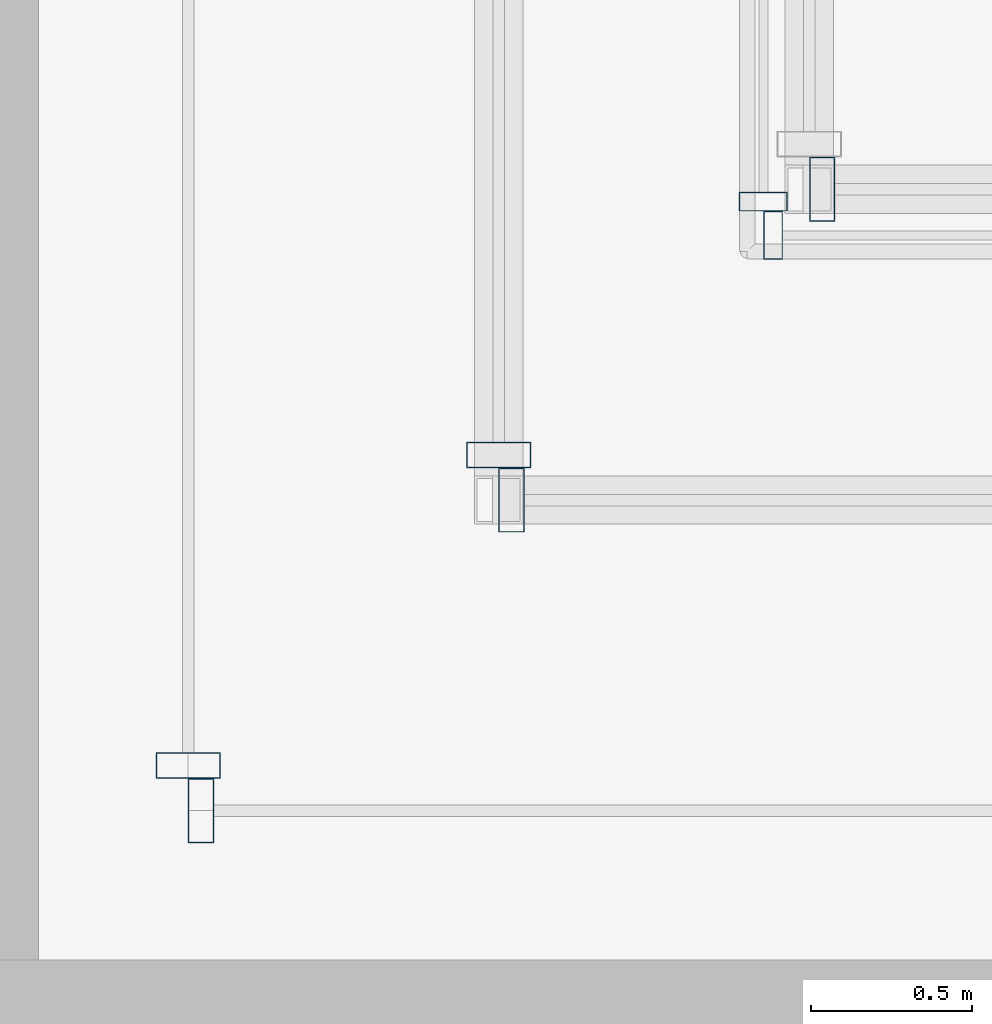
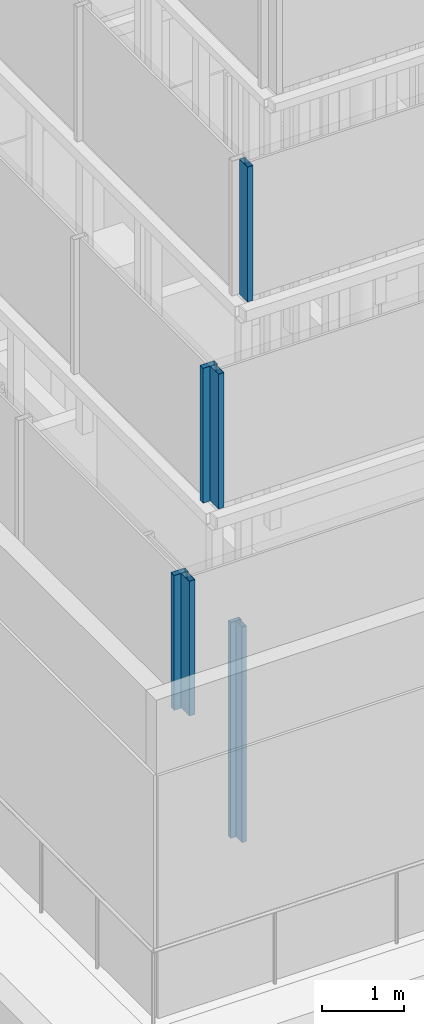
# One storey, part 30 of 62: 7 members, 7 elements without a shape of their own.
"""IFC4 building model written with IfcOpenShell, lengths in metres."""

from ifc_helpers import new_model, si_unit, direction, frame, origin, origin_2d, place, context, subcontext, project, spatial, hollow_rectangle, extrude, material, material_profile, profile_set, type_object, element, aggregate, save


model = new_model("IFC4")

# Units and contexts
model_context = context("Model", 3, precision=1e-05, world=origin(), true_north=direction((0.0, 1.0)))
body_context = subcontext(model_context, "Body", "Model", "MODEL_VIEW")
ifc_project = project(units=[si_unit("LENGTHUNIT", "METRE"), si_unit("AREAUNIT", "SQUARE_METRE"), si_unit("VOLUMEUNIT", "CUBIC_METRE"), si_unit("PLANEANGLEUNIT", "RADIAN"), si_unit("MASSUNIT", "GRAM", prefix="KILO")], contexts=[model_context])

# Site, building, storey
site_placement = place(None, origin())
site = spatial("IfcSite", under=ifc_project, at=site_placement, CompositionType="ELEMENT")
building_placement = place(site_placement, origin())
building = spatial("IfcBuilding", under=site, at=building_placement, Name="Altepetl Exchange Towers", CompositionType="ELEMENT")
storey_placement = place(building_placement, frame((0.0, 0.0, 210.0)))
storey = spatial("IfcBuildingStorey", under=building, at=storey_placement, Name="L53", CompositionType="ELEMENT", Elevation=210.0)

# Curtain wall, member
ifc_material_1 = material(Name="Aluminium 6063-T6 glazing", Category="aluminium")
curtain_wall_type_1 = type_object("IfcCurtainWallType", Name="Loggia glazing system", PredefinedType="NOTDEFINED", material=ifc_material_1)
curtain_wall_1_placement = place(storey_placement, origin())
curtain_wall_1 = element("IfcCurtainWall", 1, at=curtain_wall_1_placement, inside=storey, type_object=curtain_wall_type_1, Name="CW1 run", PredefinedType="NOTDEFINED")
ifc_material_2 = material(Name="Aluminium 6063-T6", Category="aluminium")
ifc_material_profile_1 = material_profile(ifc_material_2, hollow_rectangle(XDim=0.06005859375, YDim=0.14990234375, WallThickness=0.0029296875, at=origin_2d()), Name="Mullion 60x150 aluminium")
ifc_profile_set_1 = profile_set([ifc_material_profile_1], Name="Aluminium 6063-T6")
member_type_1 = type_object("IfcMemberType", Name="Mullion 60x150 aluminium", PredefinedType="MULLION", material=ifc_profile_set_1)
member_1_placement = place(storey_placement, frame((106.25, 38.85498046875, 0.0), z_axis=(0.0, 0.0, 1.0), x_axis=(0.0, -1.0, 0.0)))
member_1 = element("IfcMember", 2, at=member_1_placement, type_object=member_type_1, Name="MU1 mullion", PredefinedType="MULLION", context=body_context, shape_type="SweptSolid", body=[
    extrude(hollow_rectangle(XDim=0.06005859375, YDim=0.14990234375, WallThickness=0.0029296875, at=origin_2d()), origin(), (0.0, 0.0, 1.0), 3.199951171875),
])
aggregate(curtain_wall_1, [member_1])

curtain_wall_2_placement = place(storey_placement, origin())
curtain_wall_2 = element("IfcCurtainWall", 3, at=curtain_wall_2_placement, inside=storey, type_object=curtain_wall_type_1, Name="CW1 run", PredefinedType="NOTDEFINED")
member_2_placement = place(storey_placement, frame((106.280029296875, 38.75, 0.0)))
member_2 = element("IfcMember", 4, at=member_2_placement, type_object=member_type_1, Name="MU1 mullion", PredefinedType="MULLION", context=body_context, shape_type="SweptSolid", body=[
    extrude(hollow_rectangle(XDim=0.06005859375, YDim=0.14990234375, WallThickness=0.0029296875, at=origin_2d()), origin(), (0.0, 0.0, 1.0), 3.199951171875),
])
aggregate(curtain_wall_2, [member_2])

curtain_wall_type_2 = type_object("IfcCurtainWallType", Name="Crown glazing system", PredefinedType="NOTDEFINED", material=ifc_material_1)
curtain_wall_3_placement = place(storey_placement, origin())
curtain_wall_3 = element("IfcCurtainWall", 5, at=curtain_wall_3_placement, inside=storey, type_object=curtain_wall_type_2, Name="CW7 run", PredefinedType="NOTDEFINED")
ifc_material_profile_2 = material_profile(ifc_material_2, hollow_rectangle(XDim=0.080078125, YDim=0.199951171875, WallThickness=0.0029296875, at=origin_2d()), Name="Mullion 80x200 hollow aluminium")
ifc_profile_set_2 = profile_set([ifc_material_profile_2], Name="Aluminium 6063-T6")
member_type_2 = type_object("IfcMemberType", Name="Mullion 80x200 hollow aluminium", PredefinedType="MULLION", material=ifc_profile_set_2)
member_3_placement = place(storey_placement, frame((104.50439453125, 36.96435546875, 3.60009765625)))
member_3 = element("IfcMember", 6, at=member_3_placement, type_object=member_type_2, Name="MU5 mullion", PredefinedType="MULLION", context=body_context, shape_type="SweptSolid", body=[
    extrude(hollow_rectangle(XDim=0.080078125, YDim=0.199951171875, WallThickness=0.0029296875, at=origin_2d()), origin(), (0.0, 0.0, 1.0), 2.0),
])
aggregate(curtain_wall_3, [member_3])

curtain_wall_4_placement = place(storey_placement, origin())
curtain_wall_4 = element("IfcCurtainWall", 7, at=curtain_wall_4_placement, inside=storey, type_object=curtain_wall_type_2, Name="CW7 run", PredefinedType="NOTDEFINED")
member_4_placement = place(storey_placement, frame((104.46435546875, 37.104248046875, 3.60009765625), z_axis=(0.0, 0.0, 1.0), x_axis=(0.0, -1.0, 0.0)))
member_4 = element("IfcMember", 8, at=member_4_placement, type_object=member_type_2, Name="MU5 mullion", PredefinedType="MULLION", context=body_context, shape_type="SweptSolid", body=[
    extrude(hollow_rectangle(XDim=0.080078125, YDim=0.199951171875, WallThickness=0.0029296875, at=origin_2d()), origin(), (0.0, 0.0, 1.0), 2.0),
])
aggregate(curtain_wall_4, [member_4])

curtain_wall_5_placement = place(storey_placement, origin())
curtain_wall_5 = element("IfcCurtainWall", 9, at=curtain_wall_5_placement, inside=storey, type_object=curtain_wall_type_2, Name="CW7 run", PredefinedType="NOTDEFINED")
member_5_placement = place(storey_placement, frame((105.468505859375, 37.928466796875, 5.75)))
member_5 = element("IfcMember", 10, at=member_5_placement, type_object=member_type_2, Name="MU5 mullion", PredefinedType="MULLION", context=body_context, shape_type="SweptSolid", body=[
    extrude(hollow_rectangle(XDim=0.080078125, YDim=0.199951171875, WallThickness=0.0029296875, at=origin_2d()), origin(), (0.0, 0.0, 1.0), 2.0),
])
aggregate(curtain_wall_5, [member_5])

curtain_wall_6_placement = place(storey_placement, origin())
curtain_wall_6 = element("IfcCurtainWall", 11, at=curtain_wall_6_placement, inside=storey, type_object=curtain_wall_type_2, Name="CW7 run", PredefinedType="NOTDEFINED")
member_6_placement = place(storey_placement, frame((105.428466796875, 38.068603515625, 5.75), z_axis=(0.0, 0.0, 1.0), x_axis=(0.0, -1.0, 0.0)))
member_6 = element("IfcMember", 12, at=member_6_placement, type_object=member_type_2, Name="MU5 mullion", PredefinedType="MULLION", context=body_context, shape_type="SweptSolid", body=[
    extrude(hollow_rectangle(XDim=0.080078125, YDim=0.199951171875, WallThickness=0.0029296875, at=origin_2d()), origin(), (0.0, 0.0, 1.0), 2.0),
])
aggregate(curtain_wall_6, [member_6])

curtain_wall_7_placement = place(storey_placement, origin())
curtain_wall_7 = element("IfcCurtainWall", 13, at=curtain_wall_7_placement, inside=storey, type_object=curtain_wall_type_2, Name="CW7 run", PredefinedType="NOTDEFINED")
member_7_placement = place(storey_placement, frame((106.432861328125, 38.892822265625, 7.89990234375)))
member_7 = element("IfcMember", 14, at=member_7_placement, type_object=member_type_2, Name="MU5 mullion", PredefinedType="MULLION", context=body_context, shape_type="SweptSolid", body=[
    extrude(hollow_rectangle(XDim=0.080078125, YDim=0.199951171875, WallThickness=0.0029296875, at=origin_2d()), origin(), (0.0, 0.0, 1.0), 2.0),
])
aggregate(curtain_wall_7, [member_7])

save(model, "model.ifc")
